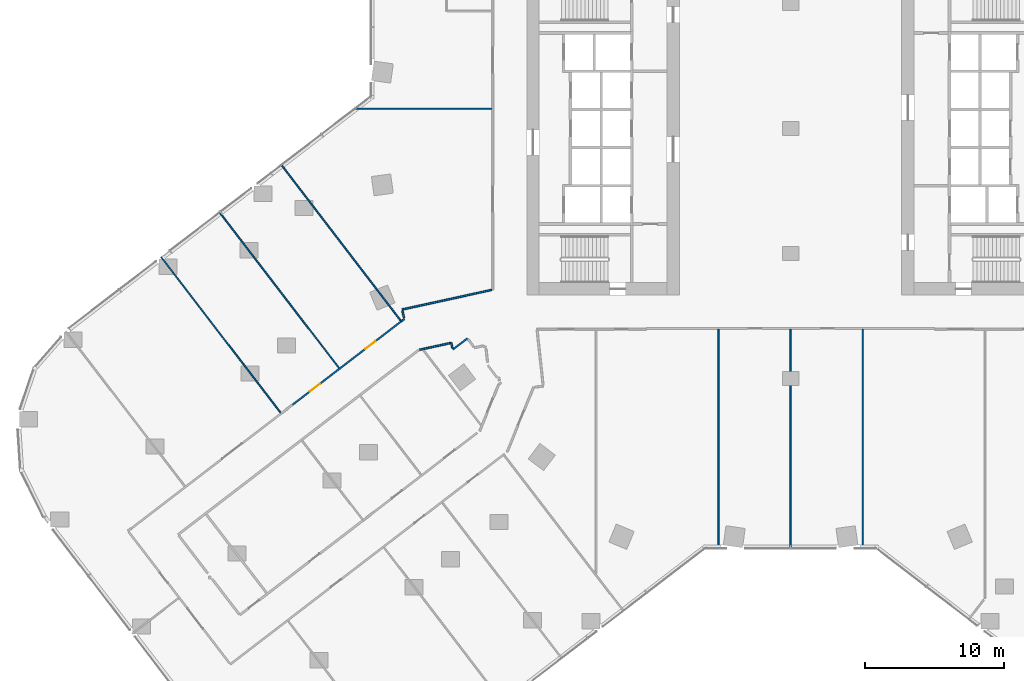
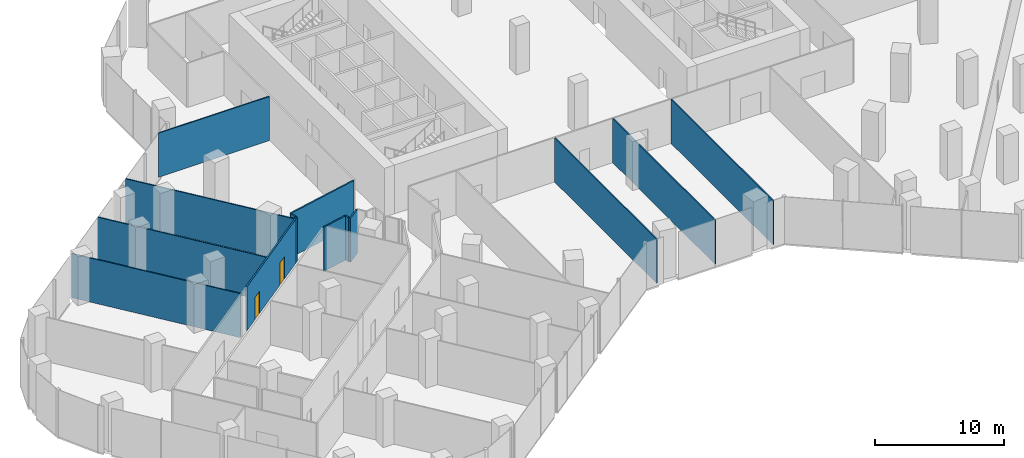
# One storey, part 23 of 30: 14 walls, 2 doors, 2 openings.
"""IFC4 building model written with IfcOpenShell, lengths in metres."""

from ifc_helpers import new_model, si_unit, direction, frame, frame_2d, origin, place, context, subcontext, project, spatial, rectangle, extrude, material, layer, layer_set, type_object, element, fill, save


model = new_model("IFC4")

# Units and contexts
model_context = context("Model", 3, precision=1e-05, world=origin(), true_north=direction((0.0, 1.0)))
body_context = subcontext(model_context, "Body", "Model", "MODEL_VIEW")
ifc_project = project(units=[si_unit("LENGTHUNIT", "METRE"), si_unit("AREAUNIT", "SQUARE_METRE"), si_unit("VOLUMEUNIT", "CUBIC_METRE"), si_unit("PLANEANGLEUNIT", "RADIAN"), si_unit("MASSUNIT", "GRAM", prefix="KILO")], contexts=[model_context])

# Site, building, storey
site_placement = place(None, origin())
site = spatial("IfcSite", under=ifc_project, at=site_placement, CompositionType="ELEMENT")
building_placement = place(site_placement, origin())
building = spatial("IfcBuilding", under=site, at=building_placement, Name="Orlundy Tower", CompositionType="ELEMENT")
storey_placement = place(building_placement, frame((0.0, 0.0, 20.5)))
storey = spatial("IfcBuildingStorey", under=building, at=storey_placement, Name="L03", CompositionType="ELEMENT", Elevation=20.5)

# Walls
ifc_material_1 = material(Name="Gypsum board partition")
ifc_layer_1 = layer(ifc_material_1, 0.10009765625)
ifc_layer_set_1 = layer_set([ifc_layer_1], Name="Floor partition 100")
wall_type_1 = type_object("IfcWallType", Name="Floor partition 100", PredefinedType="PARTITIONING", material=ifc_layer_set_1)
for number, where, z_axis, x_axis, name in (
    (1, (-45.3310546875, -9.259033203125, 0.0), (0.0, 0.0, 1.0), (0.608775561638, -0.793342495743, 0.0), "wall-int-L03-014"),
    (2, (-41.1259765625, -6.032958984375, 0.0), (0.0, 0.0, 1.0), (0.608775561638, -0.793342495743, 0.0), "wall-int-L03-017"),
):
    element("IfcWall", number, at=place(storey_placement, frame(where, z_axis=z_axis, x_axis=x_axis)), inside=storey, type_object=wall_type_1, Name=name, PredefinedType="PARTITIONING", context=body_context, shape_type="SweptSolid", body=[
        extrude(rectangle(XDim=14.136474609375, YDim=0.10009765625, at=frame_2d((7.068359375, 0.0))), origin(), (0.0, 0.0, 1.0), 4.159912109375),
    ])
wall_1_placement = place(storey_placement, frame((-36.677978515625, -2.6201171875, 0.0), z_axis=(0.0, 0.0, 1.0), x_axis=(0.608783902678, -0.793336095132, 0.0)))
element("IfcWall", 3, at=wall_1_placement, inside=storey, type_object=wall_type_1, Name="wall-int-L03-020", PredefinedType="PARTITIONING", context=body_context, shape_type="SweptSolid", body=[
    extrude(rectangle(XDim=14.13623046875, YDim=0.10009765625, at=frame_2d((7.068115234375, 0.0))), origin(), (0.0, 0.0, 1.0), 4.159912109375),
])
wall_2_placement = place(storey_placement, frame((-31.4140625, 1.419921875, 0.0), z_axis=(0.0, 0.0, 1.0), x_axis=(1.0, 0.0, 0.0)))
element("IfcWall", 4, at=wall_2_placement, inside=storey, type_object=wall_type_1, Name="wall-int-L03-029", PredefinedType="PARTITIONING", context=body_context, shape_type="SweptSolid", body=[
    extrude(rectangle(XDim=9.902099609375, YDim=0.10009765625, at=frame_2d((4.951171875, 0.0))), origin(), (0.0, 0.0, 1.0), 4.159912109375),
])
for number, where, z_axis, x_axis, name in (
    (5, (5.196044921875, -30.25, 0.0), (0.0, 0.0, 1.0), (0.0, 1.0, 0.0), "wall-int-L03-061"),
    (6, (0.0, -30.25, 0.0), (0.0, 0.0, 1.0), (0.0, 1.0, 0.0), "wall-int-L03-062"),
    (7, (-5.195068359375, -30.25, 0.0), (0.0, 0.0, 1.0), (0.0, 1.0, 0.0), "wall-int-L03-064"),
):
    element("IfcWall", number, at=place(storey_placement, frame(where, z_axis=z_axis, x_axis=x_axis)), inside=storey, type_object=wall_type_1, Name=name, PredefinedType="PARTITIONING", context=body_context, shape_type="SweptSolid", body=[
        extrude(rectangle(XDim=15.787109375, YDim=0.10009765625, at=frame_2d((7.8935546875, 0.0))), origin(), (0.0, 0.0, 1.0), 4.159912109375),
    ])
ifc_material_2 = material(Name="Gypsum board partition, double layer")
ifc_layer_2 = layer(ifc_material_2, 0.125)
ifc_layer_set_2 = layer_set([ifc_layer_2], Name="Floor partition 125")
wall_type_2 = type_object("IfcWallType", Name="Floor partition 125", PredefinedType="PARTITIONING", material=ifc_layer_set_2)
wall_3_placement = place(storey_placement, frame((-24.43798828125, -15.43701171875, 0.0), z_axis=(0.0, 0.0, 1.0), x_axis=(0.212096867325, -0.977248647413, 0.0)))
element("IfcWall", 8, at=wall_3_placement, inside=storey, type_object=wall_type_2, Name="wall-int-L03-004", PredefinedType="PARTITIONING", context=body_context, shape_type="SweptSolid", body=[
    extrude(rectangle(XDim=0.39599609375, YDim=0.125, at=frame_2d((0.197998046875, 0.0))), origin(), (0.0, 0.0, 1.0), 4.159912109375),
])
wall_4_placement = place(storey_placement, frame((-27.958984375, -13.10009765625, 0.0), z_axis=(0.0, 0.0, 1.0), x_axis=(0.215346078447, -0.976537795734, 0.0)))
element("IfcWall", 9, at=wall_4_placement, inside=storey, type_object=wall_type_2, Name="wall-int-L03-005", PredefinedType="PARTITIONING", context=body_context, shape_type="SweptSolid", body=[
    extrude(rectangle(XDim=0.53857421875, YDim=0.125, at=frame_2d((0.269287109375, 0.0))), origin(), (0.0, 0.0, 1.0), 4.159912109375),
])
wall_5_placement = place(storey_placement, frame((-26.7119140625, -15.93603515625, 0.0), z_axis=(0.0, 0.0, 1.0), x_axis=(0.976756126143, 0.214353609817, 0.0)))
element("IfcWall", 10, at=wall_5_placement, inside=storey, type_object=wall_type_2, Name="wall-int-L03-036", PredefinedType="PARTITIONING", context=body_context, shape_type="SweptSolid", body=[
    extrude(rectangle(XDim=2.328125, YDim=0.125, at=frame_2d((1.1640625, 0.0))), origin(), (0.0, 0.0, 1.0), 4.159912109375),
])
wall_6_placement = place(storey_placement, frame((-21.52587890625, -11.6240234375, 0.0), z_axis=(0.0, 0.0, 1.0), x_axis=(-0.976773623356, -0.214273863821, 0.0)))
element("IfcWall", 11, at=wall_6_placement, inside=storey, type_object=wall_type_2, Name="wall-int-L03-038", PredefinedType="PARTITIONING", context=body_context, shape_type="SweptSolid", body=[
    extrude(rectangle(XDim=6.599365234375, YDim=0.125, at=frame_2d((3.2998046875, 0.0))), origin(), (0.0, 0.0, 1.0), 4.159912109375),
])
wall_7_placement = place(storey_placement, frame((-24.33203125, -15.919921875, 0.0), z_axis=(0.0, 0.0, 1.0), x_axis=(0.797480426333, 0.603344818172, 0.0)))
element("IfcWall", 12, at=wall_7_placement, inside=storey, type_object=wall_type_2, Name="wall-int-L03-039", PredefinedType="PARTITIONING", context=body_context, shape_type="SweptSolid", body=[
    extrude(rectangle(XDim=1.329345703125, YDim=0.125, at=frame_2d((0.66455078125, 0.0))), origin(), (0.0, 0.0, 1.0), 4.159912109375),
])

# Wall, openings, doors
wall_8_placement = place(storey_placement, frame((-35.881103515625, -19.906005859375, 0.0), z_axis=(0.0, 0.0, 1.0), x_axis=(0.793370316216, 0.608739304914, 0.0)))
wall_8 = element("IfcWall", 13, at=wall_8_placement, inside=storey, type_object=wall_type_2, Name="wall-int-L03-049", PredefinedType="PARTITIONING", context=body_context, shape_type="SweptSolid", body=[
    extrude(rectangle(XDim=9.890869140625, YDim=0.125, at=frame_2d((4.9453125, 0.0))), origin(), (0.0, 0.0, 1.0), 4.159912109375),
])
opening_1_placement = place(wall_8_placement, frame((6.63427734375, 0.0, 0.0)))
opening_1 = element("IfcOpeningElement", 14, at=opening_1_placement, cuts=wall_8, Name="Opening 04110", PredefinedType="OPENING", context=body_context, shape_type="SweptSolid", body=[
    extrude(rectangle(XDim=0.89990234375, YDim=2.10009765625, at=frame_2d((0.449951171875, 1.050048828125))), frame((0.0, 0.072509765625, 0.0), z_axis=(0.0, -1.0, 0.0), x_axis=(1.0, 0.0, 0.0)), (0.0, 0.0, 1.0), 0.14501953125),
])
opening_2_placement = place(wall_8_placement, frame((1.60009765625, 0.0, 0.0)))
opening_2 = element("IfcOpeningElement", 15, at=opening_2_placement, cuts=wall_8, Name="Opening 04111", PredefinedType="OPENING", context=body_context, shape_type="SweptSolid", body=[
    extrude(rectangle(XDim=0.89990234375, YDim=2.10009765625, at=frame_2d((0.449951171875, 1.050048828125))), frame((0.0, 0.072509765625, 0.0), z_axis=(0.0, -1.0, 0.0), x_axis=(1.0, 0.0, 0.0)), (0.0, 0.0, 1.0), 0.14501953125),
])
ifc_material_3 = material(Name="Timber door leaf", Category="wood")
door_type = type_object("IfcDoorType", Name="Floor door single 900 FD30S", OperationType="NOTDEFINED", PredefinedType="DOOR", material=ifc_material_3)
door_1_placement = place(opening_1_placement, origin())
door_1 = element("IfcDoor", 16, at=door_1_placement, inside=storey, type_object=door_type, Name="Door 04110", OperationType="SINGLE_SWING_RIGHT", OverallHeight=2.10009765625, OverallWidth=0.89990234375, PredefinedType="DOOR", context=body_context, shape_type="SweptSolid", body=[
    extrude(rectangle(XDim=0.89990234375, YDim=2.10009765625, at=frame_2d((0.449951171875, 1.050048828125))), frame((0.0, 0.02490234375, 0.0), z_axis=(0.0, -1.0, 0.0), x_axis=(1.0, 0.0, 0.0)), (0.0, 0.0, 1.0), 0.050048828125),
])
fill(opening_1, door_1)
door_2_placement = place(opening_2_placement, origin())
door_2 = element("IfcDoor", 17, at=door_2_placement, inside=storey, type_object=door_type, Name="Door 04111", OperationType="SINGLE_SWING_LEFT", OverallHeight=2.10009765625, OverallWidth=0.89990234375, PredefinedType="DOOR", context=body_context, shape_type="SweptSolid", body=[
    extrude(rectangle(XDim=0.89990234375, YDim=2.10009765625, at=frame_2d((0.449951171875, 1.050048828125))), frame((0.0, 0.02490234375, 0.0), z_axis=(0.0, -1.0, 0.0), x_axis=(1.0, 0.0, 0.0)), (0.0, 0.0, 1.0), 0.050048828125),
])
fill(opening_2, door_2)

# Wall
wall_9_placement = place(storey_placement, frame((-28.033935546875, -13.885009765625, 0.0), z_axis=(0.0, 0.0, 1.0), x_axis=(0.792488206653, 0.609887237378, 0.0)))
element("IfcWall", 18, at=wall_9_placement, inside=storey, type_object=wall_type_2, Name="wall-int-L03-050", PredefinedType="PARTITIONING", context=body_context, shape_type="SweptSolid", body=[
    extrude(rectangle(XDim=0.267333984375, YDim=0.125, at=frame_2d((0.1337890625, 0.0))), origin(), (0.0, 0.0, 1.0), 4.159912109375),
])

save(model, "model.ifc")
